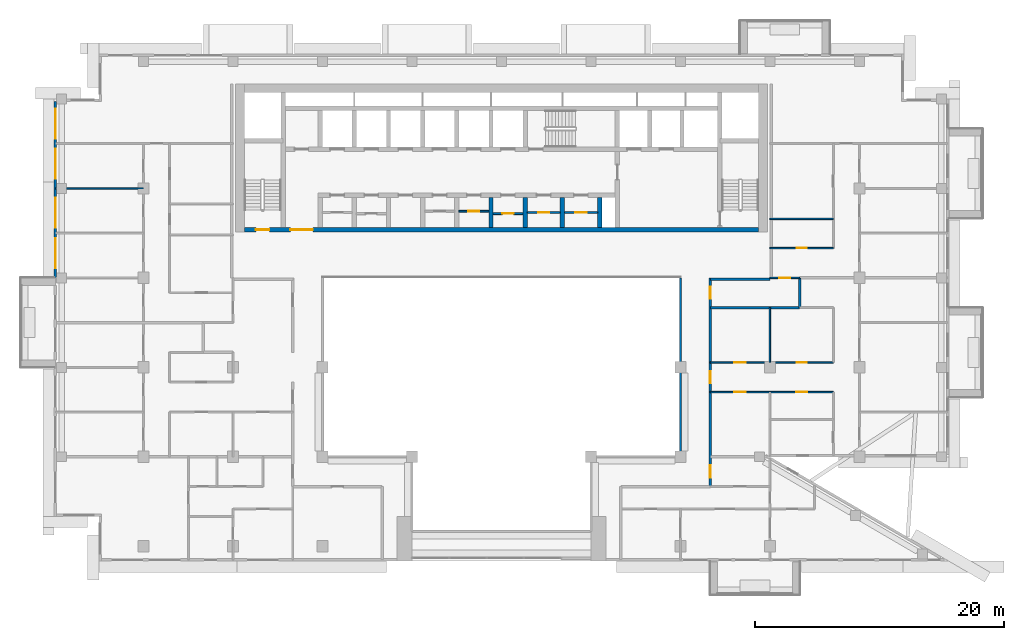
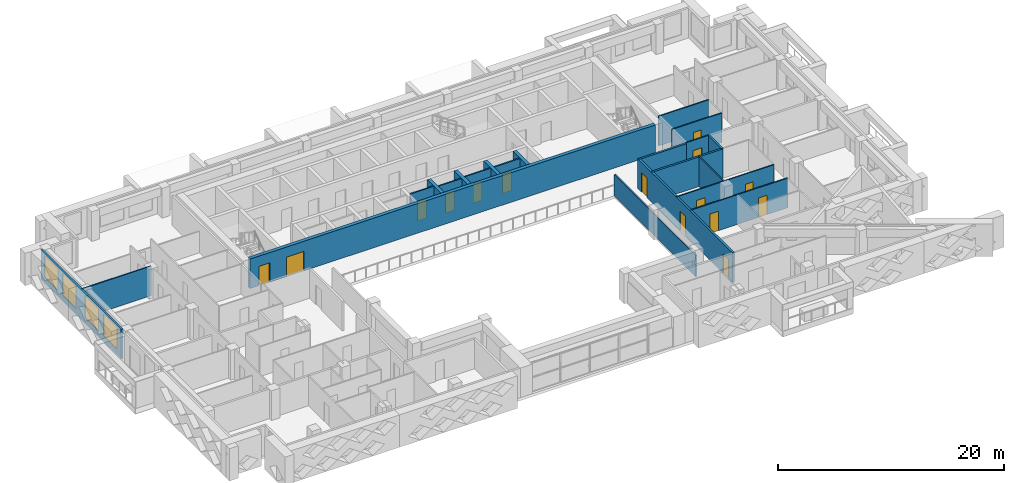
# One storey, part 9 of 20: 22 walls, 15 doors, 4 windows, 19 openings.
"""IFC4 building model written with IfcOpenShell, lengths in metres."""

from ifc_helpers import new_model, si_unit, direction, frame, frame_2d, origin, place, context, subcontext, project, spatial, rectangle, extrude, material, layer, layer_set, type_object, element, fill, save


model = new_model("IFC4")

# Units and contexts
model_context = context("Model", 3, precision=1e-05, world=origin(), true_north=direction((0.0, 1.0)))
body_context = subcontext(model_context, "Body", "Model", "MODEL_VIEW")
ifc_project = project(units=[si_unit("LENGTHUNIT", "METRE"), si_unit("AREAUNIT", "SQUARE_METRE"), si_unit("VOLUMEUNIT", "CUBIC_METRE"), si_unit("PLANEANGLEUNIT", "RADIAN"), si_unit("MASSUNIT", "GRAM", prefix="KILO")], contexts=[model_context])

# Site, building, storey
site_placement = place(None, origin())
site = spatial("IfcSite", under=ifc_project, at=site_placement, CompositionType="ELEMENT")
building_placement = place(site_placement, origin())
building = spatial("IfcBuilding", under=site, at=building_placement, Name="Saffron Iwan Residences", CompositionType="ELEMENT")
storey_placement = place(building_placement, frame((0.0, 0.0, 185.0)))
storey = spatial("IfcBuildingStorey", under=building, at=storey_placement, Name="L49", CompositionType="ELEMENT", Elevation=185.0)

# Wall
ifc_material_1 = material(Name="Fire-rated glazing", Category="glass")
ifc_layer_1 = layer(ifc_material_1, 0.14990234375)
ifc_layer_set_1 = layer_set([ifc_layer_1], Name="Fire-rated glazing")
wall_type_1 = type_object("IfcWallType", Name="Atrium glazed screen 150", PredefinedType="SOLIDWALL", material=ifc_layer_set_1)
wall_1_placement = place(storey_placement, frame((64.800048828125, 48.0, 0.0), z_axis=(0.0, 0.0, 1.0), x_axis=(0.0, 1.0, 0.0)))
element("IfcWall", 1, at=wall_1_placement, inside=storey, type_object=wall_type_1, Name="W-L49-SCREEN-v64.8-48", PredefinedType="SOLIDWALL", context=body_context, shape_type="SweptSolid", body=[
    extrude(rectangle(XDim=14.39990234375, YDim=0.14990234375, at=frame_2d((7.199951171875, 0.0))), origin(), (0.0, 0.0, 1.0), 2.300048828125),
])

# Wall, opening, door
ifc_material_2 = material(Name="Fire-rated plasterboard partition")
ifc_layer_2 = layer(ifc_material_2, 0.14990234375)
ifc_layer_set_2 = layer_set([ifc_layer_2], Name="Fire-rated plasterboard partition")
wall_type_2 = type_object("IfcWallType", Name="Core partition 150", PredefinedType="PARTITIONING", material=ifc_layer_set_2)
wall_2_placement = place(storey_placement, frame((46.97509765625, 67.759521484375, 0.0), z_axis=(0.0, 0.0, 1.0), x_axis=(1.0, 0.0, 0.0)))
wall_2 = element("IfcWall", 2, at=wall_2_placement, inside=storey, type_object=wall_type_2, Name="Core partition P04", PredefinedType="PARTITIONING", context=body_context, shape_type="SweptSolid", body=[
    extrude(rectangle(XDim=2.39990234375, YDim=0.14990234375, at=frame_2d((1.199951171875, 0.0))), origin(), (0.0, 0.0, 1.0), 3.199951171875),
])
opening_1_placement = place(wall_2_placement, frame((0.75, 0.0, 0.0)))
opening_1 = element("IfcOpeningElement", 3, at=opening_1_placement, cuts=wall_2, Name="Opening SB", PredefinedType="OPENING", context=body_context, shape_type="SweptSolid", body=[
    extrude(rectangle(XDim=0.89990234375, YDim=2.10009765625, at=frame_2d((0.449951171875, 1.050048828125))), frame((0.0, 0.0849609375, 0.0), z_axis=(0.0, -1.0, 0.0), x_axis=(1.0, 0.0, 0.0)), (0.0, 0.0, 1.0), 0.169921875),
])
ifc_material_3 = material(Name="Steel fire door", Category="steel")
door_type_1 = type_object("IfcDoorType", Name="Store door 900", OperationType="NOTDEFINED", PredefinedType="DOOR", material=ifc_material_3)
door_1_placement = place(opening_1_placement, origin())
door_1 = element("IfcDoor", 4, at=door_1_placement, inside=storey, type_object=door_type_1, Name="Door Stationery store", OperationType="SINGLE_SWING_LEFT", OverallHeight=2.10009765625, OverallWidth=0.89990234375, PredefinedType="DOOR", context=body_context, shape_type="SweptSolid", body=[
    extrude(rectangle(XDim=0.89990234375, YDim=2.10009765625, at=frame_2d((0.449951171875, 1.050048828125))), frame((0.0, 0.02490234375, 0.0), z_axis=(0.0, -1.0, 0.0), x_axis=(1.0, 0.0, 0.0)), (0.0, 0.0, 1.0), 0.050048828125),
])
fill(opening_1, door_1)

wall_3_placement = place(storey_placement, frame((49.72509765625, 67.5654296875, 0.0), z_axis=(0.0, 0.0, 1.0), x_axis=(1.0, 0.0, 0.0)))
wall_3 = element("IfcWall", 5, at=wall_3_placement, inside=storey, type_object=wall_type_2, Name="Core partition P05", PredefinedType="PARTITIONING", context=body_context, shape_type="SweptSolid", body=[
    extrude(rectangle(XDim=2.39990234375, YDim=0.14990234375, at=frame_2d((1.199951171875, 0.0))), origin(), (0.0, 0.0, 1.0), 3.199951171875),
])
opening_2_placement = place(wall_3_placement, frame((0.75, 0.0, 0.0)))
opening_2 = element("IfcOpeningElement", 6, at=opening_2_placement, cuts=wall_3, Name="Opening SB", PredefinedType="OPENING", context=body_context, shape_type="SweptSolid", body=[
    extrude(rectangle(XDim=0.89990234375, YDim=2.10009765625, at=frame_2d((0.449951171875, 1.050048828125))), frame((0.0, 0.0849609375, 0.0), z_axis=(0.0, -1.0, 0.0), x_axis=(1.0, 0.0, 0.0)), (0.0, 0.0, 1.0), 0.169921875),
])
door_2_placement = place(opening_2_placement, origin())
door_2 = element("IfcDoor", 7, at=door_2_placement, inside=storey, type_object=door_type_1, Name="Door Tool store", OperationType="SINGLE_SWING_LEFT", OverallHeight=2.10009765625, OverallWidth=0.89990234375, PredefinedType="DOOR", context=body_context, shape_type="SweptSolid", body=[
    extrude(rectangle(XDim=0.89990234375, YDim=2.10009765625, at=frame_2d((0.449951171875, 1.050048828125))), frame((0.0, 0.02490234375, 0.0), z_axis=(0.0, -1.0, 0.0), x_axis=(1.0, 0.0, 0.0)), (0.0, 0.0, 1.0), 0.050048828125),
])
fill(opening_2, door_2)

wall_4_placement = place(storey_placement, frame((52.47509765625, 67.66259765625, 0.0), z_axis=(0.0, 0.0, 1.0), x_axis=(1.0, 0.0, 0.0)))
wall_4 = element("IfcWall", 8, at=wall_4_placement, inside=storey, type_object=wall_type_2, Name="Core partition P06", PredefinedType="PARTITIONING", context=body_context, shape_type="SweptSolid", body=[
    extrude(rectangle(XDim=2.64990234375, YDim=0.14990234375, at=frame_2d((1.324951171875, 0.0))), origin(), (0.0, 0.0, 1.0), 3.199951171875),
])
opening_3_placement = place(wall_4_placement, frame((0.875, 0.0, 0.0)))
opening_3 = element("IfcOpeningElement", 9, at=opening_3_placement, cuts=wall_4, Name="Opening SB", PredefinedType="OPENING", context=body_context, shape_type="SweptSolid", body=[
    extrude(rectangle(XDim=0.89990234375, YDim=2.10009765625, at=frame_2d((0.449951171875, 1.050048828125))), frame((0.0, 0.0849609375, 0.0), z_axis=(0.0, -1.0, 0.0), x_axis=(1.0, 0.0, 0.0)), (0.0, 0.0, 1.0), 0.169921875),
])
door_3_placement = place(opening_3_placement, origin())
door_3 = element("IfcDoor", 10, at=door_3_placement, inside=storey, type_object=door_type_1, Name="Door Spares store", OperationType="SINGLE_SWING_LEFT", OverallHeight=2.10009765625, OverallWidth=0.89990234375, PredefinedType="DOOR", context=body_context, shape_type="SweptSolid", body=[
    extrude(rectangle(XDim=0.89990234375, YDim=2.10009765625, at=frame_2d((0.449951171875, 1.050048828125))), frame((0.0, 0.02490234375, 0.0), z_axis=(0.0, -1.0, 0.0), x_axis=(1.0, 0.0, 0.0)), (0.0, 0.0, 1.0), 0.050048828125),
])
fill(opening_3, door_3)

wall_5_placement = place(storey_placement, frame((55.47509765625, 67.66259765625, 0.0), z_axis=(0.0, 0.0, 1.0), x_axis=(1.0, 0.0, 0.0)))
wall_5 = element("IfcWall", 11, at=wall_5_placement, inside=storey, type_object=wall_type_2, Name="Core partition P07", PredefinedType="PARTITIONING", context=body_context, shape_type="SweptSolid", body=[
    extrude(rectangle(XDim=2.64990234375, YDim=0.14990234375, at=frame_2d((1.324951171875, 0.0))), origin(), (0.0, 0.0, 1.0), 3.199951171875),
])
opening_4_placement = place(wall_5_placement, frame((0.875, 0.0, 0.0)))
opening_4 = element("IfcOpeningElement", 12, at=opening_4_placement, cuts=wall_5, Name="Opening SB", PredefinedType="OPENING", context=body_context, shape_type="SweptSolid", body=[
    extrude(rectangle(XDim=0.89990234375, YDim=2.10009765625, at=frame_2d((0.449951171875, 1.050048828125))), frame((0.0, 0.0849609375, 0.0), z_axis=(0.0, -1.0, 0.0), x_axis=(1.0, 0.0, 0.0)), (0.0, 0.0, 1.0), 0.169921875),
])
door_4_placement = place(opening_4_placement, origin())
door_4 = element("IfcDoor", 13, at=door_4_placement, inside=storey, type_object=door_type_1, Name="Door Battery room", OperationType="SINGLE_SWING_LEFT", OverallHeight=2.10009765625, OverallWidth=0.89990234375, PredefinedType="DOOR", context=body_context, shape_type="SweptSolid", body=[
    extrude(rectangle(XDim=0.89990234375, YDim=2.10009765625, at=frame_2d((0.449951171875, 1.050048828125))), frame((0.0, 0.02490234375, 0.0), z_axis=(0.0, -1.0, 0.0), x_axis=(1.0, 0.0, 0.0)), (0.0, 0.0, 1.0), 0.050048828125),
])
fill(opening_4, door_4)

# Wall, openings, windows
ifc_material_4 = material(Name="Concrete C40/50", Category="concrete")
ifc_layer_3 = layer(ifc_material_4, 0.199951171875)
ifc_layer_set_3 = layer_set([ifc_layer_3], Name="Concrete C40/50")
wall_type_3 = type_object("IfcWallType", Name="EXTERNAL WALL 200", PredefinedType="SOLIDWALL", material=ifc_layer_set_3)
wall_6_placement = place(storey_placement, frame((14.5, 76.60009765625, 0.0), z_axis=(0.0, 0.0, 1.0), x_axis=(0.0, -1.0, 0.0)))
wall_6 = element("IfcWall", 14, at=wall_6_placement, inside=storey, type_object=wall_type_3, Name="External wall L49 F8.0", PredefinedType="SOLIDWALL", context=body_context, shape_type="SweptSolid", body=[
    extrude(rectangle(XDim=14.2001953125, YDim=0.199951171875, at=frame_2d((7.10009765625, 0.0))), origin(), (0.0, 0.0, 1.0), 3.199951171875),
])
opening_5_placement = place(wall_6_placement, frame((11.02490234375, 0.0, 0.60009765625)))
opening_5 = element("IfcOpeningElement", 15, at=opening_5_placement, cuts=wall_6, Name="Opening W1", PredefinedType="OPENING", context=body_context, shape_type="SweptSolid", body=[
    extrude(rectangle(XDim=2.39990234375, YDim=2.39990234375, at=frame_2d((1.199951171875, 1.199951171875))), frame((0.0, 0.10986328125, 0.0), z_axis=(0.0, -1.0, 0.0), x_axis=(1.0, 0.0, 0.0)), (0.0, 0.0, 1.0), 0.219970703125),
])
opening_6_placement = place(wall_6_placement, frame((7.77490234375, 0.0, 0.60009765625)))
opening_6 = element("IfcOpeningElement", 16, at=opening_6_placement, cuts=wall_6, Name="Opening W1", PredefinedType="OPENING", context=body_context, shape_type="SweptSolid", body=[
    extrude(rectangle(XDim=2.39990234375, YDim=2.39990234375, at=frame_2d((1.199951171875, 1.199951171875))), frame((0.0, 0.10986328125, 0.0), z_axis=(0.0, -1.0, 0.0), x_axis=(1.0, 0.0, 0.0)), (0.0, 0.0, 1.0), 0.219970703125),
])
opening_7_placement = place(wall_6_placement, frame((3.824951171875, 0.0, 0.60009765625)))
opening_7 = element("IfcOpeningElement", 17, at=opening_7_placement, cuts=wall_6, Name="Opening W1", PredefinedType="OPENING", context=body_context, shape_type="SweptSolid", body=[
    extrude(rectangle(XDim=2.39990234375, YDim=2.39990234375, at=frame_2d((1.199951171875, 1.199951171875))), frame((0.0, 0.10986328125, 0.0), z_axis=(0.0, -1.0, 0.0), x_axis=(1.0, 0.0, 0.0)), (0.0, 0.0, 1.0), 0.219970703125),
])
opening_8_placement = place(wall_6_placement, frame((0.60009765625, 0.0, 0.60009765625)))
opening_8 = element("IfcOpeningElement", 18, at=opening_8_placement, cuts=wall_6, Name="Opening W1", PredefinedType="OPENING", context=body_context, shape_type="SweptSolid", body=[
    extrude(rectangle(XDim=2.39990234375, YDim=2.39990234375, at=frame_2d((1.199951171875, 1.199951171875))), frame((0.0, 0.10986328125, 0.0), z_axis=(0.0, -1.0, 0.0), x_axis=(1.0, 0.0, 0.0)), (0.0, 0.0, 1.0), 0.219970703125),
])
ifc_material_5 = material(Name="Clear glass, laminated double glazed", Category="glass")
window_type = type_object("IfcWindowType", Name="WINDOW 2400 x 2400", PartitioningType="DOUBLE_PANEL_VERTICAL", PredefinedType="WINDOW", material=ifc_material_5)
window_1_placement = place(opening_5_placement, origin())
window_1 = element("IfcWindow", 19, at=window_1_placement, inside=storey, type_object=window_type, Name="Window L49 F8.0", OverallHeight=2.39990234375, OverallWidth=2.39990234375, PartitioningType="DOUBLE_PANEL_VERTICAL", PredefinedType="WINDOW", context=body_context, shape_type="SweptSolid", body=[
    extrude(rectangle(XDim=2.39990234375, YDim=2.39990234375, at=frame_2d((1.199951171875, 1.199951171875))), frame((0.0, 0.030029296875, 0.0), z_axis=(0.0, -1.0, 0.0), x_axis=(1.0, 0.0, 0.0)), (0.0, 0.0, 1.0), 0.06005859375),
])
fill(opening_5, window_1)
window_2_placement = place(opening_6_placement, origin())
window_2 = element("IfcWindow", 20, at=window_2_placement, inside=storey, type_object=window_type, Name="Window L49 F8.1", OverallHeight=2.39990234375, OverallWidth=2.39990234375, PartitioningType="DOUBLE_PANEL_VERTICAL", PredefinedType="WINDOW", context=body_context, shape_type="SweptSolid", body=[
    extrude(rectangle(XDim=2.39990234375, YDim=2.39990234375, at=frame_2d((1.199951171875, 1.199951171875))), frame((0.0, 0.030029296875, 0.0), z_axis=(0.0, -1.0, 0.0), x_axis=(1.0, 0.0, 0.0)), (0.0, 0.0, 1.0), 0.06005859375),
])
fill(opening_6, window_2)
window_3_placement = place(opening_7_placement, origin())
window_3 = element("IfcWindow", 21, at=window_3_placement, inside=storey, type_object=window_type, Name="Window L49 F8.2", OverallHeight=2.39990234375, OverallWidth=2.39990234375, PartitioningType="DOUBLE_PANEL_VERTICAL", PredefinedType="WINDOW", context=body_context, shape_type="SweptSolid", body=[
    extrude(rectangle(XDim=2.39990234375, YDim=2.39990234375, at=frame_2d((1.199951171875, 1.199951171875))), frame((0.0, 0.030029296875, 0.0), z_axis=(0.0, -1.0, 0.0), x_axis=(1.0, 0.0, 0.0)), (0.0, 0.0, 1.0), 0.06005859375),
])
fill(opening_7, window_3)
window_4_placement = place(opening_8_placement, origin())
window_4 = element("IfcWindow", 22, at=window_4_placement, inside=storey, type_object=window_type, Name="Window L49 F8.3", OverallHeight=2.39990234375, OverallWidth=2.39990234375, PartitioningType="DOUBLE_PANEL_VERTICAL", PredefinedType="WINDOW", context=body_context, shape_type="SweptSolid", body=[
    extrude(rectangle(XDim=2.39990234375, YDim=2.39990234375, at=frame_2d((1.199951171875, 1.199951171875))), frame((0.0, 0.030029296875, 0.0), z_axis=(0.0, -1.0, 0.0), x_axis=(1.0, 0.0, 0.0)), (0.0, 0.0, 1.0), 0.06005859375),
])
fill(opening_8, window_4)

# Walls
ifc_material_6 = material(Name="Fire-rated gypsum board wall")
ifc_layer_4 = layer(ifc_material_6, 0.199951171875)
ifc_layer_set_4 = layer_set([ifc_layer_4], Name="Fire-rated gypsum board wall")
wall_type_4 = type_object("IfcWallType", Name="Flat demising wall 200", PredefinedType="SOLIDWALL", material=ifc_layer_set_4)
wall_7_placement = place(storey_placement, frame((67.199951171875, 60.0, 0.0), z_axis=(0.0, 0.0, 1.0), x_axis=(1.0, 0.0, 0.0)))
element("IfcWall", 23, at=wall_7_placement, inside=storey, type_object=wall_type_4, Name="W-L49-DEMISE-h60-67.2", PredefinedType="SOLIDWALL", context=body_context, shape_type="SweptSolid", body=[
    extrude(rectangle(XDim=7.199951171875, YDim=0.199951171875, at=frame_2d((3.60009765625, 0.0))), origin(), (0.0, 0.0, 1.0), 3.199951171875),
])
wall_8_placement = place(storey_placement, frame((74.39990234375, 60.0, 0.0), z_axis=(0.0, 0.0, 1.0), x_axis=(0.0, 1.0, 0.0)))
element("IfcWall", 24, at=wall_8_placement, inside=storey, type_object=wall_type_4, Name="W-L49-DEMISE-v74.4-60", PredefinedType="SOLIDWALL", context=body_context, shape_type="SweptSolid", body=[
    extrude(rectangle(XDim=2.39990234375, YDim=0.199951171875, at=frame_2d((1.199951171875, 0.0))), origin(), (0.0, 0.0, 1.0), 3.199951171875),
])

# Wall, openings, doors
ifc_material_7 = material(Name="Gypsum board partition")
ifc_layer_5 = layer(ifc_material_7, 0.1201171875)
ifc_layer_set_5 = layer_set([ifc_layer_5], Name="Gypsum board partition")
wall_type_5 = type_object("IfcWallType", Name="Flat partition 120", PredefinedType="PARTITIONING", material=ifc_layer_set_5)
wall_9_placement = place(storey_placement, frame((67.199951171875, 53.199951171875, 0.0), z_axis=(0.0, 0.0, 1.0), x_axis=(1.0, 0.0, 0.0)))
wall_9 = element("IfcWall", 25, at=wall_9_placement, inside=storey, type_object=wall_type_5, Name="W-L49-PART-h53.2-67.2", PredefinedType="PARTITIONING", context=body_context, shape_type="SweptSolid", body=[
    extrude(rectangle(XDim=9.900146484375, YDim=0.1201171875, at=frame_2d((4.9501953125, 0.0))), origin(), (0.0, 0.0, 1.0), 3.199951171875),
])
opening_9_placement = place(wall_9_placement, frame((6.89990234375, 0.0, 0.0)))
opening_9 = element("IfcOpeningElement", 26, at=opening_9_placement, cuts=wall_9, Name="Opening FD2", PredefinedType="OPENING", context=body_context, shape_type="SweptSolid", body=[
    extrude(rectangle(XDim=0.89990234375, YDim=2.10009765625, at=frame_2d((0.449951171875, 1.050048828125))), frame((0.0, 0.070068359375, 0.0), z_axis=(0.0, -1.0, 0.0), x_axis=(1.0, 0.0, 0.0)), (0.0, 0.0, 1.0), 0.14013671875),
])
opening_10_placement = place(wall_9_placement, frame((1.949951171875, 0.0, 0.0)))
opening_10 = element("IfcOpeningElement", 27, at=opening_10_placement, cuts=wall_9, Name="Opening FD2", PredefinedType="OPENING", context=body_context, shape_type="SweptSolid", body=[
    extrude(rectangle(XDim=0.89990234375, YDim=2.10009765625, at=frame_2d((0.449951171875, 1.050048828125))), frame((0.0, 0.070068359375, 0.0), z_axis=(0.0, -1.0, 0.0), x_axis=(1.0, 0.0, 0.0)), (0.0, 0.0, 1.0), 0.14013671875),
])
ifc_material_8 = material(Name="Timber door", Category="wood")
door_type_2 = type_object("IfcDoorType", Name="Flat door 900", OperationType="NOTDEFINED", PredefinedType="DOOR", material=ifc_material_8)
door_5_placement = place(opening_9_placement, origin())
door_5 = element("IfcDoor", 28, at=door_5_placement, inside=storey, type_object=door_type_2, Name="Door L49-020", OperationType="SINGLE_SWING_LEFT", OverallHeight=2.10009765625, OverallWidth=0.89990234375, PredefinedType="DOOR", context=body_context, shape_type="SweptSolid", body=[
    extrude(rectangle(XDim=0.89990234375, YDim=2.10009765625, at=frame_2d((0.449951171875, 1.050048828125))), frame((0.0, 0.02490234375, 0.0), z_axis=(0.0, -1.0, 0.0), x_axis=(1.0, 0.0, 0.0)), (0.0, 0.0, 1.0), 0.050048828125),
])
fill(opening_9, door_5)
door_6_placement = place(opening_10_placement, origin())
door_6 = element("IfcDoor", 29, at=door_6_placement, inside=storey, type_object=door_type_2, Name="Door L49-022", OperationType="SINGLE_SWING_LEFT", OverallHeight=2.10009765625, OverallWidth=0.89990234375, PredefinedType="DOOR", context=body_context, shape_type="SweptSolid", body=[
    extrude(rectangle(XDim=0.89990234375, YDim=2.10009765625, at=frame_2d((0.449951171875, 1.050048828125))), frame((0.0, 0.02490234375, 0.0), z_axis=(0.0, -1.0, 0.0), x_axis=(1.0, 0.0, 0.0)), (0.0, 0.0, 1.0), 0.050048828125),
])
fill(opening_10, door_6)

wall_10_placement = place(storey_placement, frame((67.199951171875, 55.60009765625, 0.0), z_axis=(0.0, 0.0, 1.0), x_axis=(1.0, 0.0, 0.0)))
wall_10 = element("IfcWall", 30, at=wall_10_placement, inside=storey, type_object=wall_type_5, Name="W-L49-PART-h55.6-67.2", PredefinedType="PARTITIONING", context=body_context, shape_type="SweptSolid", body=[
    extrude(rectangle(XDim=9.900146484375, YDim=0.1201171875, at=frame_2d((4.9501953125, 0.0))), origin(), (0.0, 0.0, 1.0), 3.199951171875),
])
opening_11_placement = place(wall_10_placement, frame((6.949951171875, 0.0, 0.0)))
opening_11 = element("IfcOpeningElement", 31, at=opening_11_placement, cuts=wall_10, Name="Opening FD3", PredefinedType="OPENING", context=body_context, shape_type="SweptSolid", body=[
    extrude(rectangle(XDim=0.800048828125, YDim=2.10009765625, at=frame_2d((0.39990234375, 1.050048828125))), frame((0.0, 0.070068359375, 0.0), z_axis=(0.0, -1.0, 0.0), x_axis=(1.0, 0.0, 0.0)), (0.0, 0.0, 1.0), 0.14013671875),
])
opening_12_placement = place(wall_10_placement, frame((1.949951171875, 0.0, 0.0)))
opening_12 = element("IfcOpeningElement", 32, at=opening_12_placement, cuts=wall_10, Name="Opening FD2", PredefinedType="OPENING", context=body_context, shape_type="SweptSolid", body=[
    extrude(rectangle(XDim=0.89990234375, YDim=2.10009765625, at=frame_2d((0.449951171875, 1.050048828125))), frame((0.0, 0.070068359375, 0.0), z_axis=(0.0, -1.0, 0.0), x_axis=(1.0, 0.0, 0.0)), (0.0, 0.0, 1.0), 0.14013671875),
])
door_type_3 = type_object("IfcDoorType", Name="Bathroom door 800", OperationType="NOTDEFINED", PredefinedType="DOOR", material=ifc_material_8)
door_7_placement = place(opening_11_placement, origin())
door_7 = element("IfcDoor", 33, at=door_7_placement, inside=storey, type_object=door_type_3, Name="Door L49-021", OperationType="SINGLE_SWING_RIGHT", OverallHeight=2.10009765625, OverallWidth=0.800048828125, PredefinedType="DOOR", context=body_context, shape_type="SweptSolid", body=[
    extrude(rectangle(XDim=0.800048828125, YDim=2.10009765625, at=frame_2d((0.39990234375, 1.050048828125))), frame((0.0, 0.02490234375, 0.0), z_axis=(0.0, -1.0, 0.0), x_axis=(1.0, 0.0, 0.0)), (0.0, 0.0, 1.0), 0.050048828125),
])
fill(opening_11, door_7)
door_8_placement = place(opening_12_placement, origin())
door_8 = element("IfcDoor", 34, at=door_8_placement, inside=storey, type_object=door_type_2, Name="Door L49-023", OperationType="SINGLE_SWING_LEFT", OverallHeight=2.10009765625, OverallWidth=0.89990234375, PredefinedType="DOOR", context=body_context, shape_type="SweptSolid", body=[
    extrude(rectangle(XDim=0.89990234375, YDim=2.10009765625, at=frame_2d((0.449951171875, 1.050048828125))), frame((0.0, 0.02490234375, 0.0), z_axis=(0.0, -1.0, 0.0), x_axis=(1.0, 0.0, 0.0)), (0.0, 0.0, 1.0), 0.050048828125),
])
fill(opening_12, door_8)

# Wall, opening, door
wall_11_placement = place(storey_placement, frame((72.0, 62.39990234375, 0.0), z_axis=(0.0, 0.0, 1.0), x_axis=(1.0, 0.0, 0.0)))
wall_11 = element("IfcWall", 35, at=wall_11_placement, inside=storey, type_object=wall_type_5, Name="W-L49-PART-h62.4-72", PredefinedType="PARTITIONING", context=body_context, shape_type="SweptSolid", body=[
    extrude(rectangle(XDim=2.39990234375, YDim=0.1201171875, at=frame_2d((1.199951171875, 0.0))), origin(), (0.0, 0.0, 1.0), 3.199951171875),
])
opening_13_placement = place(wall_11_placement, frame((0.75, 0.0, 0.0)))
opening_13 = element("IfcOpeningElement", 36, at=opening_13_placement, cuts=wall_11, Name="Opening FD2", PredefinedType="OPENING", context=body_context, shape_type="SweptSolid", body=[
    extrude(rectangle(XDim=0.89990234375, YDim=2.10009765625, at=frame_2d((0.449951171875, 1.050048828125))), frame((0.0, 0.070068359375, 0.0), z_axis=(0.0, -1.0, 0.0), x_axis=(1.0, 0.0, 0.0)), (0.0, 0.0, 1.0), 0.14013671875),
])
door_9_placement = place(opening_13_placement, origin())
door_9 = element("IfcDoor", 37, at=door_9_placement, inside=storey, type_object=door_type_2, Name="Door L49-034", OperationType="SINGLE_SWING_LEFT", OverallHeight=2.10009765625, OverallWidth=0.89990234375, PredefinedType="DOOR", context=body_context, shape_type="SweptSolid", body=[
    extrude(rectangle(XDim=0.89990234375, YDim=2.10009765625, at=frame_2d((0.449951171875, 1.050048828125))), frame((0.0, 0.02490234375, 0.0), z_axis=(0.0, -1.0, 0.0), x_axis=(1.0, 0.0, 0.0)), (0.0, 0.0, 1.0), 0.050048828125),
])
fill(opening_13, door_9)

wall_12_placement = place(storey_placement, frame((72.0, 64.800048828125, 0.0), z_axis=(0.0, 0.0, 1.0), x_axis=(1.0, 0.0, 0.0)))
wall_12 = element("IfcWall", 38, at=wall_12_placement, inside=storey, type_object=wall_type_5, Name="W-L49-PART-h64.8-72", PredefinedType="PARTITIONING", context=body_context, shape_type="SweptSolid", body=[
    extrude(rectangle(XDim=5.10009765625, YDim=0.1201171875, at=frame_2d((2.550048828125, 0.0))), origin(), (0.0, 0.0, 1.0), 3.199951171875),
])
opening_14_placement = place(wall_12_placement, frame((2.14990234375, 0.0, 0.0)))
opening_14 = element("IfcOpeningElement", 39, at=opening_14_placement, cuts=wall_12, Name="Opening FD3", PredefinedType="OPENING", context=body_context, shape_type="SweptSolid", body=[
    extrude(rectangle(XDim=0.800048828125, YDim=2.10009765625, at=frame_2d((0.39990234375, 1.050048828125))), frame((0.0, 0.070068359375, 0.0), z_axis=(0.0, -1.0, 0.0), x_axis=(1.0, 0.0, 0.0)), (0.0, 0.0, 1.0), 0.14013671875),
])
door_10_placement = place(opening_14_placement, origin())
door_10 = element("IfcDoor", 40, at=door_10_placement, inside=storey, type_object=door_type_3, Name="Door L49-040", OperationType="SINGLE_SWING_LEFT", OverallHeight=2.10009765625, OverallWidth=0.800048828125, PredefinedType="DOOR", context=body_context, shape_type="SweptSolid", body=[
    extrude(rectangle(XDim=0.800048828125, YDim=2.10009765625, at=frame_2d((0.39990234375, 1.050048828125))), frame((0.0, 0.02490234375, 0.0), z_axis=(0.0, -1.0, 0.0), x_axis=(1.0, 0.0, 0.0)), (0.0, 0.0, 1.0), 0.050048828125),
])
fill(opening_14, door_10)

# Walls
wall_13_placement = place(storey_placement, frame((72.0, 67.14990234375, 0.0), z_axis=(0.0, 0.0, 1.0), x_axis=(1.0, 0.0, 0.0)))
element("IfcWall", 41, at=wall_13_placement, inside=storey, type_object=wall_type_5, Name="W-L49-PART-h67.15-72", PredefinedType="PARTITIONING", context=body_context, shape_type="SweptSolid", body=[
    extrude(rectangle(XDim=5.10009765625, YDim=0.1201171875, at=frame_2d((2.550048828125, 0.0))), origin(), (0.0, 0.0, 1.0), 3.199951171875),
])
wall_14_placement = place(storey_placement, frame((14.52490234375, 69.60009765625, 0.0), z_axis=(0.0, 0.0, 1.0), x_axis=(1.0, 0.0, 0.0)))
element("IfcWall", 42, at=wall_14_placement, inside=storey, type_object=wall_type_5, Name="W-L49-PART-h69.6-14.525", PredefinedType="PARTITIONING", context=body_context, shape_type="SweptSolid", body=[
    extrude(rectangle(XDim=7.0751953125, YDim=0.1201171875, at=frame_2d((3.53759765625, 0.0))), origin(), (0.0, 0.0, 1.0), 3.199951171875),
])
wall_15_placement = place(storey_placement, frame((72.0, 55.60009765625, 0.0), z_axis=(0.0, 0.0, 1.0), x_axis=(0.0, 1.0, 0.0)))
element("IfcWall", 43, at=wall_15_placement, inside=storey, type_object=wall_type_5, Name="W-L49-PART-v72-55.6", PredefinedType="PARTITIONING", context=body_context, shape_type="SweptSolid", body=[
    extrude(rectangle(XDim=4.39990234375, YDim=0.1201171875, at=frame_2d((2.199951171875, 0.0))), origin(), (0.0, 0.0, 1.0), 3.199951171875),
])
ifc_layer_6 = layer(ifc_material_6, 0.199951171875)
ifc_layer_set_6 = layer_set([ifc_layer_6], Name="Fire-rated gypsum board wall")
wall_type_6 = type_object("IfcWallType", Name="Gallery wall 200", PredefinedType="SOLIDWALL", material=ifc_layer_set_6)
wall_16_placement = place(storey_placement, frame((67.199951171875, 62.300048828125, 0.0), z_axis=(0.0, 0.0, 1.0), x_axis=(1.0, 0.0, 0.0)))
element("IfcWall", 44, at=wall_16_placement, inside=storey, type_object=wall_type_6, Name="W-L49-CORR-h62.4-67.2", PredefinedType="SOLIDWALL", context=body_context, shape_type="SweptSolid", body=[
    extrude(rectangle(XDim=4.800048828125, YDim=0.199951171875, at=frame_2d((2.39990234375, 0.0))), origin(), (0.0, 0.0, 1.0), 3.199951171875),
])

# Wall, openings, doors
wall_17_placement = place(storey_placement, frame((67.199951171875, 45.60009765625, 0.0), z_axis=(0.0, 0.0, 1.0), x_axis=(0.0, 1.0, 0.0)))
wall_17 = element("IfcWall", 45, at=wall_17_placement, inside=storey, type_object=wall_type_6, Name="W-L49-CORR-v67.2-45.6", PredefinedType="SOLIDWALL", context=body_context, shape_type="SweptSolid", body=[
    extrude(rectangle(XDim=16.7998046875, YDim=0.199951171875, at=frame_2d((8.39990234375, 0.0))), origin(), (0.0, 0.0, 1.0), 3.199951171875),
])
opening_15_placement = place(wall_17_placement, frame((8.300048828125, 0.0, 0.0)))
opening_15 = element("IfcOpeningElement", 46, at=opening_15_placement, cuts=wall_17, Name="Opening FD1", PredefinedType="OPENING", context=body_context, shape_type="SweptSolid", body=[
    extrude(rectangle(XDim=1.0, YDim=2.10009765625, at=frame_2d((0.5, 1.050048828125))), frame((0.0, 0.10986328125, 0.0), z_axis=(0.0, -1.0, 0.0), x_axis=(1.0, 0.0, 0.0)), (0.0, 0.0, 1.0), 0.219970703125),
])
opening_16_placement = place(wall_17_placement, frame((15.10009765625, 0.0, 0.0)))
opening_16 = element("IfcOpeningElement", 47, at=opening_16_placement, cuts=wall_17, Name="Opening FD5", PredefinedType="OPENING", context=body_context, shape_type="SweptSolid", body=[
    extrude(rectangle(XDim=1.0, YDim=2.10009765625, at=frame_2d((0.5, 1.050048828125))), frame((0.0, 0.10986328125, 0.0), z_axis=(0.0, -1.0, 0.0), x_axis=(1.0, 0.0, 0.0)), (0.0, 0.0, 1.0), 0.219970703125),
])
opening_17_placement = place(wall_17_placement, frame((0.699951171875, 0.0, 0.0)))
opening_17 = element("IfcOpeningElement", 48, at=opening_17_placement, cuts=wall_17, Name="Opening FD5", PredefinedType="OPENING", context=body_context, shape_type="SweptSolid", body=[
    extrude(rectangle(XDim=1.0, YDim=2.10009765625, at=frame_2d((0.5, 1.050048828125))), frame((0.0, 0.10986328125, 0.0), z_axis=(0.0, -1.0, 0.0), x_axis=(1.0, 0.0, 0.0)), (0.0, 0.0, 1.0), 0.219970703125),
])
ifc_material_9 = material(Name="Fire-rated timber door", Category="wood")
door_type_4 = type_object("IfcDoorType", Name="FD30S flat entrance door 1000", OperationType="NOTDEFINED", PredefinedType="DOOR", material=ifc_material_9)
door_11_placement = place(opening_15_placement, origin())
door_11 = element("IfcDoor", 49, at=door_11_placement, inside=storey, type_object=door_type_4, Name="Door L49-015", OperationType="SINGLE_SWING_RIGHT", OverallHeight=2.10009765625, OverallWidth=1.0, PredefinedType="DOOR", context=body_context, shape_type="SweptSolid", body=[
    extrude(rectangle(XDim=1.0, YDim=2.10009765625, at=frame_2d((0.5, 1.050048828125))), frame((0.0, 0.02490234375, 0.0), z_axis=(0.0, -1.0, 0.0), x_axis=(1.0, 0.0, 0.0)), (0.0, 0.0, 1.0), 0.050048828125),
])
fill(opening_15, door_11)
door_type_5 = type_object("IfcDoorType", Name="Lobby door 1000", OperationType="NOTDEFINED", PredefinedType="DOOR", material=ifc_material_9)
door_12_placement = place(opening_16_placement, origin())
door_12 = element("IfcDoor", 50, at=door_12_placement, inside=storey, type_object=door_type_5, Name="Door L49-035", OperationType="SINGLE_SWING_LEFT", OverallHeight=2.10009765625, OverallWidth=1.0, PredefinedType="DOOR", context=body_context, shape_type="SweptSolid", body=[
    extrude(rectangle(XDim=1.0, YDim=2.10009765625, at=frame_2d((0.5, 1.050048828125))), frame((0.0, 0.02490234375, 0.0), z_axis=(0.0, -1.0, 0.0), x_axis=(1.0, 0.0, 0.0)), (0.0, 0.0, 1.0), 0.050048828125),
])
fill(opening_16, door_12)
door_13_placement = place(opening_17_placement, origin())
door_13 = element("IfcDoor", 51, at=door_13_placement, inside=storey, type_object=door_type_5, Name="Door L49-044", OperationType="SINGLE_SWING_LEFT", OverallHeight=2.10009765625, OverallWidth=1.0, PredefinedType="DOOR", context=body_context, shape_type="SweptSolid", body=[
    extrude(rectangle(XDim=1.0, YDim=2.10009765625, at=frame_2d((0.5, 1.050048828125))), frame((0.0, 0.02490234375, 0.0), z_axis=(0.0, -1.0, 0.0), x_axis=(1.0, 0.0, 0.0)), (0.0, 0.0, 1.0), 0.050048828125),
])
fill(opening_17, door_13)

ifc_material_10 = material(Name="Concrete C50/60", Category="concrete")
ifc_layer_7 = layer(ifc_material_10, 0.35009765625)
ifc_layer_set_7 = layer_set([ifc_layer_7], Name="Concrete C50/60")
wall_type_7 = type_object("IfcWallType", Name="WALL CORE 350 C50/60 3200 HIGH", PredefinedType="SHEAR", material=ifc_layer_set_7)
wall_18_placement = place(storey_placement, frame((29.699951171875, 66.27490234375, 0.0), z_axis=(0.0, 0.0, 1.0), x_axis=(1.0, 0.0, 0.0)))
wall_18 = element("IfcWall", 52, at=wall_18_placement, inside=storey, type_object=wall_type_7, Name="Core wall", PredefinedType="SHEAR", context=body_context, shape_type="SweptSolid", body=[
    extrude(rectangle(XDim=41.400146484375, YDim=0.35009765625, at=frame_2d((20.7001953125, 0.0))), origin(), (0.0, 0.0, 1.0), 3.199951171875),
])
opening_18_placement = place(wall_18_placement, frame((0.925048828125, 0.0, 0.0)))
opening_18 = element("IfcOpeningElement", 53, at=opening_18_placement, cuts=wall_18, Name="Opening SD", PredefinedType="OPENING", context=body_context, shape_type="SweptSolid", body=[
    extrude(rectangle(XDim=1.10009765625, YDim=2.10009765625, at=frame_2d((0.550048828125, 1.050048828125))), frame((0.0, 0.18505859375, 0.0), z_axis=(0.0, -1.0, 0.0), x_axis=(1.0, 0.0, 0.0)), (0.0, 0.0, 1.0), 0.3701171875),
])
opening_19_placement = place(wall_18_placement, frame((3.71240234375, 0.0, 0.0)))
opening_19 = element("IfcOpeningElement", 54, at=opening_19_placement, cuts=wall_18, Name="Opening DD", PredefinedType="OPENING", context=body_context, shape_type="SweptSolid", body=[
    extrude(rectangle(XDim=1.800048828125, YDim=2.10009765625, at=frame_2d((0.89990234375, 1.050048828125))), frame((0.0, 0.18505859375, 0.0), z_axis=(0.0, -1.0, 0.0), x_axis=(1.0, 0.0, 0.0)), (0.0, 0.0, 1.0), 0.3701171875),
])
door_type_6 = type_object("IfcDoorType", Name="Lobby double door 1800", OperationType="DOUBLE_DOOR_SINGLE_SWING", PredefinedType="DOOR", material=ifc_material_3)
door_14_placement = place(opening_19_placement, origin())
door_14 = element("IfcDoor", 55, at=door_14_placement, inside=storey, type_object=door_type_6, Name="Lobby doors", OperationType="DOUBLE_DOOR_SINGLE_SWING", OverallHeight=2.10009765625, OverallWidth=1.800048828125, PredefinedType="DOOR", context=body_context, shape_type="SweptSolid", body=[
    extrude(rectangle(XDim=1.800048828125, YDim=2.10009765625, at=frame_2d((0.89990234375, 1.050048828125))), frame((0.0, 0.02490234375, 0.0), z_axis=(0.0, -1.0, 0.0), x_axis=(1.0, 0.0, 0.0)), (0.0, 0.0, 1.0), 0.050048828125),
])
fill(opening_19, door_14)
door_type_7 = type_object("IfcDoorType", Name="Stair door 1100", OperationType="NOTDEFINED", PredefinedType="DOOR", material=ifc_material_3)
door_15_placement = place(opening_18_placement, origin())
door_15 = element("IfcDoor", 56, at=door_15_placement, inside=storey, type_object=door_type_7, Name="Stair door ST-W", OperationType="SINGLE_SWING_LEFT", OverallHeight=2.10009765625, OverallWidth=1.10009765625, PredefinedType="DOOR", context=body_context, shape_type="SweptSolid", body=[
    extrude(rectangle(XDim=1.10009765625, YDim=2.10009765625, at=frame_2d((0.550048828125, 1.050048828125))), frame((0.0, 0.02490234375, 0.0), z_axis=(0.0, -1.0, 0.0), x_axis=(1.0, 0.0, 0.0)), (0.0, 0.0, 1.0), 0.050048828125),
])
fill(opening_18, door_15)

# Walls
for number, where, z_axis, x_axis, name in (
    (57, (49.550048828125, 66.449951171875, 0.0), (0.0, 0.0, 1.0), (0.0, 1.0, 0.0), "Core wall"),
    (58, (52.300048828125, 66.449951171875, 0.0), (0.0, 0.0, 1.0), (0.0, 1.0, 0.0), "Core wall"),
    (59, (55.300048828125, 66.449951171875, 0.0), (0.0, 0.0, 1.0), (0.0, 1.0, 0.0), "Core wall"),
    (60, (58.300048828125, 66.449951171875, 0.0), (0.0, 0.0, 1.0), (0.0, 1.0, 0.0), "Core wall"),
):
    element("IfcWall", number, at=place(storey_placement, frame(where, z_axis=z_axis, x_axis=x_axis)), inside=storey, type_object=wall_type_7, Name=name, PredefinedType="SHEAR", context=body_context, shape_type="SweptSolid", body=[
        extrude(rectangle(XDim=2.425048828125, YDim=0.35009765625, at=frame_2d((1.21240234375, 0.0))), origin(), (0.0, 0.0, 1.0), 3.199951171875),
    ])

save(model, "model.ifc")
